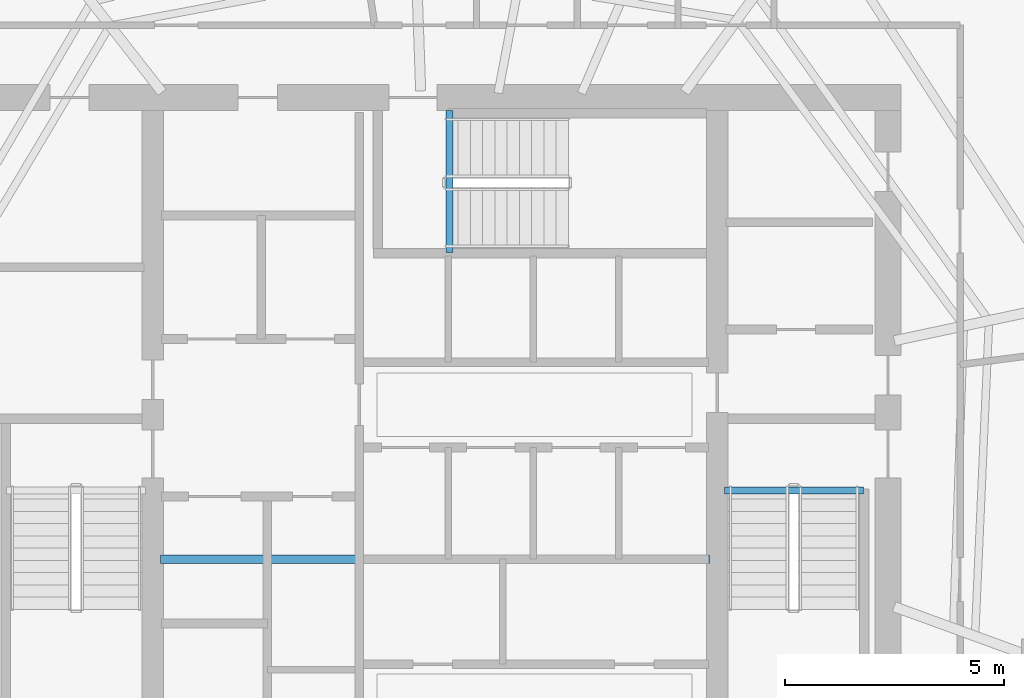
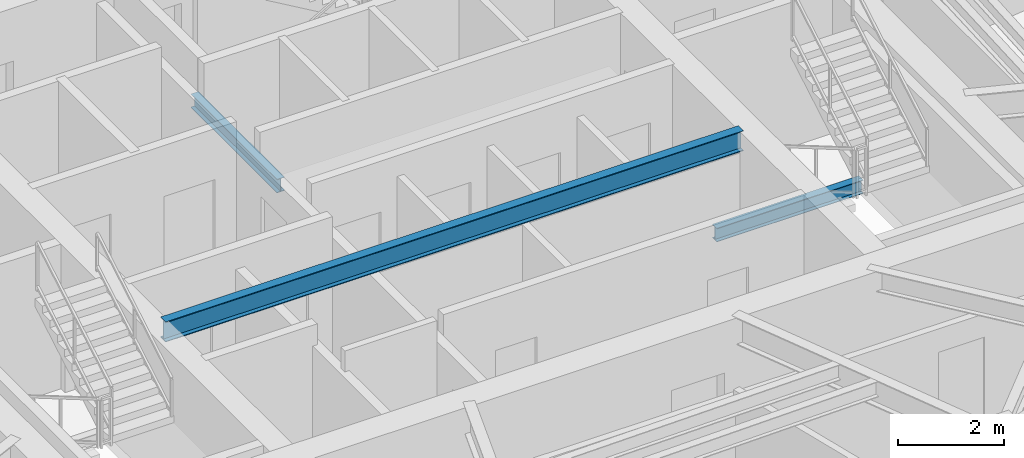
# One storey, part 8 of 21: 3 beams.
"""IFC4 building model written with IfcOpenShell, lengths in metres."""

from ifc_helpers import new_model, si_unit, direction, frame, origin, origin_2d, place, context, subcontext, project, spatial, i_section, extrude, material, material_profile, profile_set, type_object, element, save


model = new_model("IFC4")

# Units and contexts
model_context = context("Model", 3, precision=1e-05, world=origin(), true_north=direction((0.0, 1.0)))
body_context = subcontext(model_context, "Body", "Model", "MODEL_VIEW")
ifc_project = project(units=[si_unit("LENGTHUNIT", "METRE"), si_unit("AREAUNIT", "SQUARE_METRE"), si_unit("VOLUMEUNIT", "CUBIC_METRE"), si_unit("PLANEANGLEUNIT", "RADIAN"), si_unit("MASSUNIT", "GRAM", prefix="KILO")], contexts=[model_context])

# Site, building, storey
site_placement = place(None, origin())
site = spatial("IfcSite", under=ifc_project, at=site_placement, CompositionType="ELEMENT")
building_placement = place(site_placement, origin())
building = spatial("IfcBuilding", under=site, at=building_placement, Name="Qarnah Convention Tower", CompositionType="ELEMENT")
storey_placement = place(building_placement, frame((0.0, 0.0, 158.10009765625)))
storey = spatial("IfcBuildingStorey", under=building, at=storey_placement, Name="L42", CompositionType="ELEMENT", Elevation=158.10009765625)

# Beams
ifc_material = material(Name="Structural steel S355JR", Category="steel")
ifc_material_profile_1 = material_profile(ifc_material, i_section(OverallWidth=0.19189453125, OverallDepth=0.464111328125, WebThickness=0.010986328125, FlangeThickness=0.01806640625, at=origin_2d()), Name="W460X89")
ifc_profile_set_1 = profile_set([ifc_material_profile_1], Name="Structural steel S355JR")
beam_type_1 = type_object("IfcBeamType", Name="BM-CANT-W460A", PredefinedType="BEAM", material=ifc_profile_set_1)
beam_1_placement = place(storey_placement, frame((30.97998046875, 23.64990234375, 3.087890625), z_axis=(1.0, 0.0, 0.0), x_axis=(0.0, 1.0, 0.0)))
element("IfcBeam", 1, at=beam_1_placement, inside=storey, type_object=beam_type_1, Name="L42 beam BM-L42-KC1", PredefinedType="BEAM", context=body_context, shape_type="SweptSolid", body=[
    extrude(i_section(OverallWidth=0.19189453125, OverallDepth=0.464111328125, WebThickness=0.010986328125, FlangeThickness=0.01806640625, at=origin_2d()), origin(), (0.0, 0.0, 1.0), 12.5400390625),
])
ifc_material_profile_2 = material_profile(ifc_material, i_section(OverallWidth=0.166015625, OverallDepth=0.31201171875, WebThickness=0.007080078125, FlangeThickness=0.010986328125, at=origin_2d()), Name="W310X45")
ifc_profile_set_2 = profile_set([ifc_material_profile_2], Name="Structural steel S355JR")
beam_type_2 = type_object("IfcBeamType", Name="BM-JST-W310", PredefinedType="JOIST", material=ifc_profile_set_2)
beam_2_placement = place(storey_placement, frame((43.860107421875, 25.217041015625, -0.156005859375), z_axis=(1.0, 0.0, 0.0), x_axis=(0.0, 1.0, 0.0)))
element("IfcBeam", 2, at=beam_2_placement, inside=storey, type_object=beam_type_2, Name="L42 stair landing trimmer beam BM-L42-ST2-TRM", PredefinedType="BEAM", context=body_context, shape_type="SweptSolid", body=[
    extrude(i_section(OverallWidth=0.166015625, OverallDepth=0.31201171875, WebThickness=0.007080078125, FlangeThickness=0.010986328125, at=origin_2d()), origin(), (0.0, 0.0, 1.0), 3.179931640625),
])
beam_3_placement = place(storey_placement, frame((37.5830078125, 30.659912109375, -0.156005859375), z_axis=(0.0, 1.0, 0.0), x_axis=(-1.0, 0.0, 0.0)))
element("IfcBeam", 3, at=beam_3_placement, inside=storey, type_object=beam_type_2, Name="L42 stair landing trimmer beam BM-L42-ST3-TRM", PredefinedType="BEAM", context=body_context, shape_type="SweptSolid", body=[
    extrude(i_section(OverallWidth=0.166015625, OverallDepth=0.31201171875, WebThickness=0.007080078125, FlangeThickness=0.010986328125, at=origin_2d()), origin(), (0.0, 0.0, 1.0), 3.239990234375),
])

save(model, "model.ifc")
